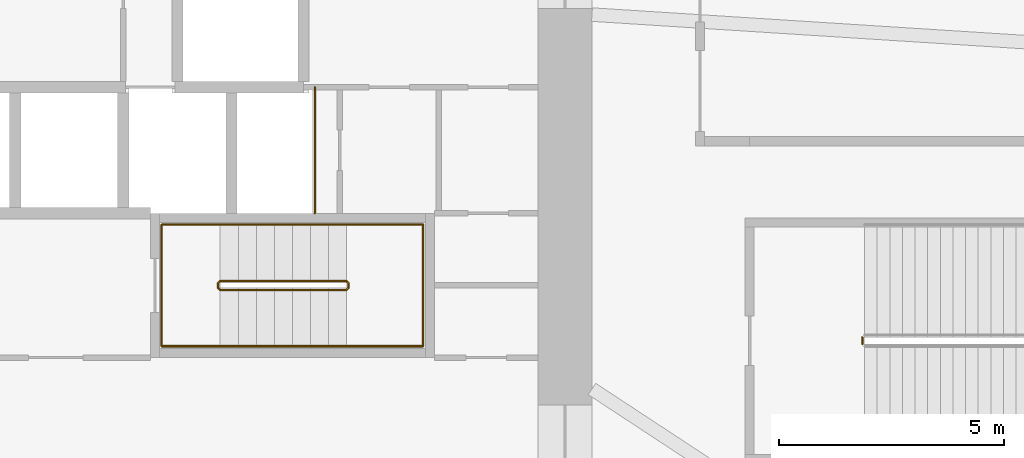
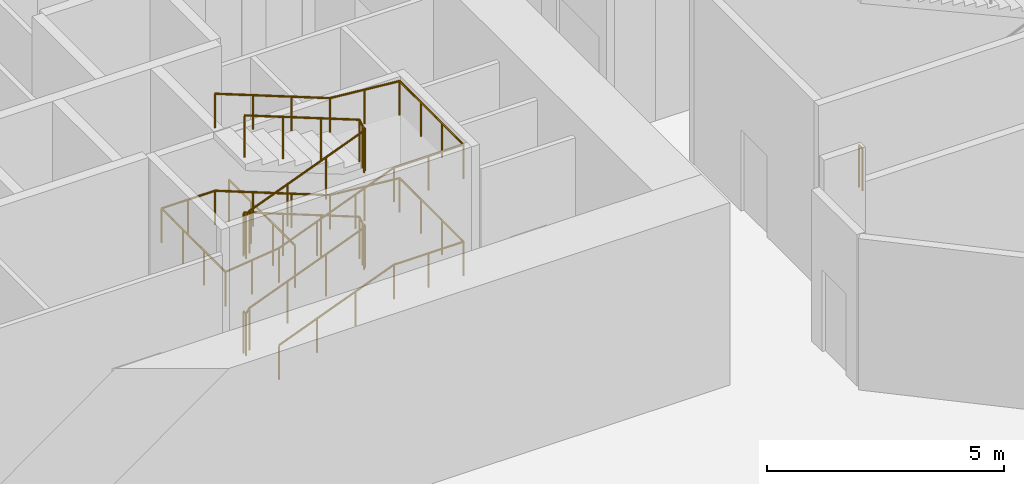
# One storey, part 14 of 16: 4 railings.
"""IFC4 building model written with IfcOpenShell, lengths in metres."""

from ifc_helpers import new_model, si_unit, direction, frame, origin, origin_2d, place, context, subcontext, project, spatial, circle, extrude, source, transform, mapped, material, type_object, element, save


model = new_model("IFC4")

# Units and contexts
model_context = context("Model", 3, precision=1e-05, world=origin(), true_north=direction((0.0, 1.0)))
body_context = subcontext(model_context, "Body", "Model", "MODEL_VIEW")
ifc_project = project(units=[si_unit("LENGTHUNIT", "METRE"), si_unit("AREAUNIT", "SQUARE_METRE"), si_unit("VOLUMEUNIT", "CUBIC_METRE"), si_unit("PLANEANGLEUNIT", "RADIAN"), si_unit("MASSUNIT", "GRAM", prefix="KILO")], contexts=[model_context])

# Site, building, storey
site_placement = place(None, origin())
site = spatial("IfcSite", under=ifc_project, at=site_placement, CompositionType="ELEMENT")
building_placement = place(site_placement, origin())
building = spatial("IfcBuilding", under=site, at=building_placement, Name="Embergate Tower", CompositionType="ELEMENT")
storey_placement = place(building_placement, frame((0.0, 0.0, 24.0)))
storey = spatial("IfcBuildingStorey", under=building, at=storey_placement, Name="L02", CompositionType="ELEMENT", Elevation=24.0)

# Railings
ifc_material_1 = material(Name="Stair guard 1100")
railing_type_1 = type_object("IfcRailingType", Name="Stair guard 1100", PredefinedType="GUARDRAIL", material=ifc_material_1)
shared_shape_1 = source(origin(), body_context, "Body", "SweptSolid", [
    extrude(circle(Radius=0.02392578125, at=origin_2d()), frame((0.0, 0.0, 1.076171875), z_axis=(0.0, -1.0, 0.0), x_axis=(1.0, 0.0, 0.0)), (0.0, 0.0, 1.0), 0.099853515625),
    extrude(circle(Radius=0.02392578125, at=origin_2d()), frame((0.0, -0.099853515625, 1.076171875), z_axis=(0.29177245553, -0.29177245553, 0.91089937336), x_axis=(0.707106781187, 0.707106781187, 0.0)), (0.0, 0.0, 1.0), 0.171630859375),
    extrude(circle(Radius=0.02392578125, at=origin_2d()), frame((0.050048828125, -0.14990234375, 1.232421875), z_axis=(0.93145949984, 0.0, 0.363845022171), x_axis=(0.0, 1.0, 0.0)), (0.0, 0.0, 1.0), 3.006103515625),
    extrude(circle(Radius=0.02392578125, at=origin_2d()), frame((2.85009765625, -0.14990234375, 2.326171875), z_axis=(0.707106781187, 0.707106781187, 0.0), x_axis=(-0.707106781187, 0.707106781187, 0.0)), (0.0, 0.0, 1.0), 0.07080078125),
    extrude(circle(Radius=0.02392578125, at=origin_2d()), frame((2.900146484375, -0.099853515625, 2.326171875), z_axis=(0.0, 1.0, 0.0), x_axis=(-1.0, 0.0, 0.0)), (0.0, 0.0, 1.0), 0.099853515625),
    extrude(circle(Radius=0.02392578125, at=origin_2d()), frame((2.900146484375, 0.0, 2.326171875), z_axis=(-0.29177245553, 0.29177245553, 0.91089937336), x_axis=(-0.707106781187, -0.707106781187, 0.0)), (0.0, 0.0, 1.0), 0.171630859375),
    extrude(circle(Radius=0.02392578125, at=origin_2d()), frame((2.85009765625, 0.050048828125, 2.482421875), z_axis=(-0.93145949984, 0.0, 0.363845022171), x_axis=(0.0, -1.0, 0.0)), (0.0, 0.0, 1.0), 3.006103515625),
    extrude(circle(Radius=0.02392578125, at=origin_2d()), frame((0.050048828125, 0.050048828125, 3.576171875), z_axis=(-0.707106781187, -0.707106781187, 0.0), x_axis=(0.707106781187, -0.707106781187, 0.0)), (0.0, 0.0, 1.0), 0.07080078125),
    extrude(circle(Radius=0.02392578125, at=origin_2d()), frame((0.0, 0.0, 3.576171875), z_axis=(0.0, -1.0, 0.0), x_axis=(1.0, 0.0, 0.0)), (0.0, 0.0, 1.0), 0.099853515625),
    extrude(circle(Radius=0.02392578125, at=origin_2d()), frame((0.0, -0.099853515625, 3.576171875), z_axis=(0.29177245553, -0.29177245553, 0.91089937336), x_axis=(0.707106781187, 0.707106781187, 0.0)), (0.0, 0.0, 1.0), 0.171630859375),
    extrude(circle(Radius=0.02392578125, at=origin_2d()), frame((0.050048828125, -0.14990234375, 3.732421875), z_axis=(0.93145949984, 0.0, 0.363845022171), x_axis=(0.0, 1.0, 0.0)), (0.0, 0.0, 1.0), 3.006103515625),
    extrude(circle(Radius=0.02392578125, at=origin_2d()), frame((2.85009765625, -0.14990234375, 4.826171875), z_axis=(0.707106781187, 0.707106781187, 0.0), x_axis=(-0.707106781187, 0.707106781187, 0.0)), (0.0, 0.0, 1.0), 0.07080078125),
    extrude(circle(Radius=0.02392578125, at=origin_2d()), frame((2.900146484375, -0.099853515625, 4.826171875), z_axis=(0.0, 1.0, 0.0), x_axis=(-1.0, 0.0, 0.0)), (0.0, 0.0, 1.0), 0.099853515625),
    extrude(circle(Radius=0.02392578125, at=origin_2d()), frame((2.900146484375, 0.0, 4.826171875), z_axis=(-0.29177245553, 0.29177245553, 0.91089937336), x_axis=(-0.707106781187, -0.707106781187, 0.0)), (0.0, 0.0, 1.0), 0.171630859375),
    extrude(circle(Radius=0.02392578125, at=origin_2d()), frame((2.85009765625, 0.050048828125, 4.982421875), z_axis=(-0.93145949984, 0.0, 0.363845022171), x_axis=(0.0, -1.0, 0.0)), (0.0, 0.0, 1.0), 3.006103515625),
    extrude(circle(Radius=0.02099609375, at=origin_2d()), origin(), (0.0, 0.0, 1.0), 1.052001953125),
    extrude(circle(Radius=0.02099609375, at=origin_2d()), frame((0.0, -0.099853515625, 0.0)), (0.0, 0.0, 1.0), 1.052001953125),
    extrude(circle(Radius=0.02099609375, at=origin_2d()), frame((0.050048828125, -0.14990234375, 0.15625)), (0.0, 0.0, 1.0), 1.052001953125),
    extrude(circle(Radius=0.02099609375, at=origin_2d()), frame((0.9833984375, -0.14990234375, 0.520751953125)), (0.0, 0.0, 1.0), 1.052001953125),
    extrude(circle(Radius=0.02099609375, at=origin_2d()), frame((1.916748046875, -0.14990234375, 0.885498046875)), (0.0, 0.0, 1.0), 1.052001953125),
    extrude(circle(Radius=0.02099609375, at=origin_2d()), frame((2.85009765625, -0.14990234375, 1.25)), (0.0, 0.0, 1.0), 1.052001953125),
    extrude(circle(Radius=0.02099609375, at=origin_2d()), frame((2.900146484375, -0.099853515625, 1.25)), (0.0, 0.0, 1.0), 1.052001953125),
    extrude(circle(Radius=0.02099609375, at=origin_2d()), frame((2.900146484375, 0.0, 1.25)), (0.0, 0.0, 1.0), 1.052001953125),
    extrude(circle(Radius=0.02099609375, at=origin_2d()), frame((2.85009765625, 0.050048828125, 1.40625)), (0.0, 0.0, 1.0), 1.052001953125),
    extrude(circle(Radius=0.02099609375, at=origin_2d()), frame((1.916748046875, 0.050048828125, 1.770751953125)), (0.0, 0.0, 1.0), 1.052001953125),
    extrude(circle(Radius=0.02099609375, at=origin_2d()), frame((0.9833984375, 0.050048828125, 2.135498046875)), (0.0, 0.0, 1.0), 1.052001953125),
    extrude(circle(Radius=0.02099609375, at=origin_2d()), frame((0.050048828125, 0.050048828125, 2.5)), (0.0, 0.0, 1.0), 1.052001953125),
    extrude(circle(Radius=0.02099609375, at=origin_2d()), frame((0.0, 0.0, 2.5)), (0.0, 0.0, 1.0), 1.052001953125),
    extrude(circle(Radius=0.02099609375, at=origin_2d()), frame((0.0, -0.099853515625, 2.5)), (0.0, 0.0, 1.0), 1.052001953125),
    extrude(circle(Radius=0.02099609375, at=origin_2d()), frame((0.050048828125, -0.14990234375, 2.65625)), (0.0, 0.0, 1.0), 1.052001953125),
    extrude(circle(Radius=0.02099609375, at=origin_2d()), frame((0.9833984375, -0.14990234375, 3.020751953125)), (0.0, 0.0, 1.0), 1.052001953125),
    extrude(circle(Radius=0.02099609375, at=origin_2d()), frame((1.916748046875, -0.14990234375, 3.385498046875)), (0.0, 0.0, 1.0), 1.052001953125),
    extrude(circle(Radius=0.02099609375, at=origin_2d()), frame((2.85009765625, -0.14990234375, 3.75)), (0.0, 0.0, 1.0), 1.052001953125),
    extrude(circle(Radius=0.02099609375, at=origin_2d()), frame((2.900146484375, -0.099853515625, 3.75)), (0.0, 0.0, 1.0), 1.052001953125),
    extrude(circle(Radius=0.02099609375, at=origin_2d()), frame((2.900146484375, 0.0, 3.75)), (0.0, 0.0, 1.0), 1.052001953125),
    extrude(circle(Radius=0.02099609375, at=origin_2d()), frame((2.85009765625, 0.050048828125, 3.90625)), (0.0, 0.0, 1.0), 1.052001953125),
    extrude(circle(Radius=0.02099609375, at=origin_2d()), frame((1.916748046875, 0.050048828125, 4.270751953125)), (0.0, 0.0, 1.0), 1.052001953125),
    extrude(circle(Radius=0.02099609375, at=origin_2d()), frame((0.9833984375, 0.050048828125, 4.635498046875)), (0.0, 0.0, 1.0), 1.052001953125),
    extrude(circle(Radius=0.02099609375, at=origin_2d()), frame((0.050048828125, 0.050048828125, 5.0)), (0.0, 0.0, 1.0), 1.052001953125),
])
railing_1_placement = place(storey_placement, frame((5.699951171875, -6.85009765625, 0.0)))
element("IfcRailing", 1, at=railing_1_placement, inside=storey, type_object=railing_type_1, Name="L02 ST4 stair guard 1", PredefinedType="GUARDRAIL", context=body_context, shape_type="MappedRepresentation", body=[
    mapped(shared_shape_1, transform((0.0, 0.0, 0.0))),
])
ifc_material_2 = material(Name="Stair handrail 900")
railing_type_2 = type_object("IfcRailingType", Name="Stair handrail 900", PredefinedType="HANDRAIL", material=ifc_material_2)
shared_shape_2 = source(origin(), body_context, "Body", "SweptSolid", [
    extrude(circle(Radius=0.02392578125, at=origin_2d()), frame((0.0, 0.0, 0.8759765625), z_axis=(0.93145949984, 0.0, 0.363845022171), x_axis=(0.0, 1.0, 0.0)), (0.0, 0.0, 1.0), 3.006103515625),
    extrude(circle(Radius=0.02392578125, at=origin_2d()), frame((2.800048828125, 0.0, 1.9697265625), z_axis=(1.0, 0.0, 0.0), x_axis=(0.0, 1.0, 0.0)), (0.0, 0.0, 1.0), 1.699951171875),
    extrude(circle(Radius=0.02392578125, at=origin_2d()), frame((4.5, 0.0, 1.9697265625), z_axis=(0.0, 1.0, 0.0), x_axis=(-1.0, 0.0, 0.0)), (0.0, 0.0, 1.0), 2.699951171875),
    extrude(circle(Radius=0.02392578125, at=origin_2d()), frame((4.5, 2.699951171875, 1.9697265625), z_axis=(-0.995802448953, 0.0, 0.091528589305), x_axis=(0.0, -1.0, 0.0)), (0.0, 0.0, 1.0), 1.70703125),
    extrude(circle(Radius=0.02392578125, at=origin_2d()), frame((2.800048828125, 2.699951171875, 2.1259765625), z_axis=(-0.93145949984, 0.0, 0.363845022171), x_axis=(0.0, -1.0, 0.0)), (0.0, 0.0, 1.0), 3.006103515625),
    extrude(circle(Radius=0.02392578125, at=origin_2d()), frame((0.0, 2.699951171875, 3.2197265625), z_axis=(-1.0, 0.0, 0.0), x_axis=(0.0, -1.0, 0.0)), (0.0, 0.0, 1.0), 1.300048828125),
    extrude(circle(Radius=0.02392578125, at=origin_2d()), frame((-1.300048828125, 2.699951171875, 3.2197265625), z_axis=(0.0, -1.0, 0.0), x_axis=(1.0, 0.0, 0.0)), (0.0, 0.0, 1.0), 2.699951171875),
    extrude(circle(Radius=0.02392578125, at=origin_2d()), frame((-1.300048828125, 0.0, 3.2197265625), z_axis=(0.992854764896, 0.0, 0.119329023387), x_axis=(0.0, 1.0, 0.0)), (0.0, 0.0, 1.0), 1.309326171875),
    extrude(circle(Radius=0.02392578125, at=origin_2d()), frame((0.0, 0.0, 3.3759765625), z_axis=(0.93145949984, 0.0, 0.363845022171), x_axis=(0.0, 1.0, 0.0)), (0.0, 0.0, 1.0), 3.006103515625),
    extrude(circle(Radius=0.02392578125, at=origin_2d()), frame((2.800048828125, 0.0, 4.4697265625), z_axis=(1.0, 0.0, 0.0), x_axis=(0.0, 1.0, 0.0)), (0.0, 0.0, 1.0), 1.699951171875),
    extrude(circle(Radius=0.02392578125, at=origin_2d()), frame((4.5, 0.0, 4.4697265625), z_axis=(0.0, 1.0, 0.0), x_axis=(-1.0, 0.0, 0.0)), (0.0, 0.0, 1.0), 2.699951171875),
    extrude(circle(Radius=0.02392578125, at=origin_2d()), frame((4.5, 2.699951171875, 4.4697265625), z_axis=(-0.995802448953, 0.0, 0.091528589305), x_axis=(0.0, -1.0, 0.0)), (0.0, 0.0, 1.0), 1.70703125),
    extrude(circle(Radius=0.02392578125, at=origin_2d()), frame((2.800048828125, 2.699951171875, 4.6259765625), z_axis=(-0.93145949984, 0.0, 0.363845022171), x_axis=(0.0, -1.0, 0.0)), (0.0, 0.0, 1.0), 3.006103515625),
    extrude(circle(Radius=0.02099609375, at=origin_2d()), origin(), (0.0, 0.0, 1.0), 0.851806640625),
    extrude(circle(Radius=0.02099609375, at=origin_2d()), frame((0.933349609375, 0.0, 0.364501953125)), (0.0, 0.0, 1.0), 0.851806640625),
    extrude(circle(Radius=0.02099609375, at=origin_2d()), frame((1.86669921875, 0.0, 0.729248046875)), (0.0, 0.0, 1.0), 0.851806640625),
    extrude(circle(Radius=0.02099609375, at=origin_2d()), frame((2.800048828125, 0.0, 1.09375)), (0.0, 0.0, 1.0), 0.851806640625),
    extrude(circle(Radius=0.02099609375, at=origin_2d()), frame((3.64990234375, 0.0, 1.09375)), (0.0, 0.0, 1.0), 0.851806640625),
    extrude(circle(Radius=0.02099609375, at=origin_2d()), frame((4.5, 0.0, 1.09375)), (0.0, 0.0, 1.0), 0.851806640625),
    extrude(circle(Radius=0.02099609375, at=origin_2d()), frame((4.5, 0.89990234375, 1.09375)), (0.0, 0.0, 1.0), 0.851806640625),
    extrude(circle(Radius=0.02099609375, at=origin_2d()), frame((4.5, 1.800048828125, 1.09375)), (0.0, 0.0, 1.0), 0.851806640625),
    extrude(circle(Radius=0.02099609375, at=origin_2d()), frame((4.5, 2.699951171875, 1.09375)), (0.0, 0.0, 1.0), 0.851806640625),
    extrude(circle(Radius=0.02099609375, at=origin_2d()), frame((3.64990234375, 2.699951171875, 1.171875)), (0.0, 0.0, 1.0), 0.851806640625),
    extrude(circle(Radius=0.02099609375, at=origin_2d()), frame((2.800048828125, 2.699951171875, 1.25)), (0.0, 0.0, 1.0), 0.851806640625),
    extrude(circle(Radius=0.02099609375, at=origin_2d()), frame((1.86669921875, 2.699951171875, 1.614501953125)), (0.0, 0.0, 1.0), 0.851806640625),
    extrude(circle(Radius=0.02099609375, at=origin_2d()), frame((0.933349609375, 2.699951171875, 1.979248046875)), (0.0, 0.0, 1.0), 0.851806640625),
    extrude(circle(Radius=0.02099609375, at=origin_2d()), frame((0.0, 2.699951171875, 2.34375)), (0.0, 0.0, 1.0), 0.851806640625),
    extrude(circle(Radius=0.02099609375, at=origin_2d()), frame((-0.64990234375, 2.699951171875, 2.34375)), (0.0, 0.0, 1.0), 0.851806640625),
    extrude(circle(Radius=0.02099609375, at=origin_2d()), frame((-1.300048828125, 2.699951171875, 2.34375)), (0.0, 0.0, 1.0), 0.851806640625),
    extrude(circle(Radius=0.02099609375, at=origin_2d()), frame((-1.300048828125, 1.800048828125, 2.34375)), (0.0, 0.0, 1.0), 0.851806640625),
    extrude(circle(Radius=0.02099609375, at=origin_2d()), frame((-1.300048828125, 0.89990234375, 2.34375)), (0.0, 0.0, 1.0), 0.851806640625),
    extrude(circle(Radius=0.02099609375, at=origin_2d()), frame((-1.300048828125, 0.0, 2.34375)), (0.0, 0.0, 1.0), 0.851806640625),
    extrude(circle(Radius=0.02099609375, at=origin_2d()), frame((-0.64990234375, 0.0, 2.421875)), (0.0, 0.0, 1.0), 0.851806640625),
    extrude(circle(Radius=0.02099609375, at=origin_2d()), frame((0.0, 0.0, 2.5)), (0.0, 0.0, 1.0), 0.851806640625),
    extrude(circle(Radius=0.02099609375, at=origin_2d()), frame((0.933349609375, 0.0, 2.864501953125)), (0.0, 0.0, 1.0), 0.851806640625),
    extrude(circle(Radius=0.02099609375, at=origin_2d()), frame((1.86669921875, 0.0, 3.229248046875)), (0.0, 0.0, 1.0), 0.851806640625),
    extrude(circle(Radius=0.02099609375, at=origin_2d()), frame((2.800048828125, 0.0, 3.59375)), (0.0, 0.0, 1.0), 0.851806640625),
    extrude(circle(Radius=0.02099609375, at=origin_2d()), frame((3.64990234375, 0.0, 3.59375)), (0.0, 0.0, 1.0), 0.851806640625),
    extrude(circle(Radius=0.02099609375, at=origin_2d()), frame((4.5, 0.0, 3.59375)), (0.0, 0.0, 1.0), 0.851806640625),
    extrude(circle(Radius=0.02099609375, at=origin_2d()), frame((4.5, 0.89990234375, 3.59375)), (0.0, 0.0, 1.0), 0.851806640625),
    extrude(circle(Radius=0.02099609375, at=origin_2d()), frame((4.5, 1.800048828125, 3.59375)), (0.0, 0.0, 1.0), 0.851806640625),
    extrude(circle(Radius=0.02099609375, at=origin_2d()), frame((4.5, 2.699951171875, 3.59375)), (0.0, 0.0, 1.0), 0.851806640625),
    extrude(circle(Radius=0.02099609375, at=origin_2d()), frame((3.64990234375, 2.699951171875, 3.671875)), (0.0, 0.0, 1.0), 0.851806640625),
    extrude(circle(Radius=0.02099609375, at=origin_2d()), frame((2.800048828125, 2.699951171875, 3.75)), (0.0, 0.0, 1.0), 0.851806640625),
    extrude(circle(Radius=0.02099609375, at=origin_2d()), frame((1.86669921875, 2.699951171875, 4.114501953125)), (0.0, 0.0, 1.0), 0.851806640625),
    extrude(circle(Radius=0.02099609375, at=origin_2d()), frame((0.933349609375, 2.699951171875, 4.479248046875)), (0.0, 0.0, 1.0), 0.851806640625),
    extrude(circle(Radius=0.02099609375, at=origin_2d()), frame((0.0, 2.699951171875, 4.84375)), (0.0, 0.0, 1.0), 0.851806640625),
])
railing_2_placement = place(storey_placement, frame((5.75, -8.25, 0.15625)))
element("IfcRailing", 2, at=railing_2_placement, inside=storey, type_object=railing_type_2, Name="L02 ST4 stair handrail 1", PredefinedType="HANDRAIL", context=body_context, shape_type="MappedRepresentation", body=[
    mapped(shared_shape_2, transform((0.0, 0.0, 0.0))),
])
ifc_material_3 = material(Name="Opening guard 1100")
railing_type_3 = type_object("IfcRailingType", Name="Opening guard 1100", PredefinedType="GUARDRAIL", material=ifc_material_3)
shared_shape_3 = source(origin(), body_context, "Body", "SweptSolid", [
    extrude(circle(Radius=0.02392578125, at=origin_2d()), frame((0.0, 0.0, 1.076171875), z_axis=(0.0, 1.0, 0.0), x_axis=(-1.0, 0.0, 0.0)), (0.0, 0.0, 1.0), 2.800048828125),
    extrude(circle(Radius=0.02099609375, at=origin_2d()), origin(), (0.0, 0.0, 1.0), 1.052001953125),
    extrude(circle(Radius=0.02099609375, at=origin_2d()), frame((0.0, 0.933349609375, 0.0)), (0.0, 0.0, 1.0), 1.052001953125),
    extrude(circle(Radius=0.02099609375, at=origin_2d()), frame((0.0, 1.86669921875, 0.0)), (0.0, 0.0, 1.0), 1.052001953125),
    extrude(circle(Radius=0.02099609375, at=origin_2d()), frame((0.0, 2.800048828125, 0.0)), (0.0, 0.0, 1.0), 1.052001953125),
])
railing_3_placement = place(storey_placement, frame((7.85009765625, -5.300048828125, 0.0)))
element("IfcRailing", 3, at=railing_3_placement, inside=storey, type_object=railing_type_3, Name="Riser opening guard", PredefinedType="GUARDRAIL", context=body_context, shape_type="MappedRepresentation", body=[
    mapped(shared_shape_3, transform((0.0, 0.0, 0.0))),
])
ifc_material_4 = material(Name="Steel", Category="steel")
railing_type_4 = type_object("IfcRailingType", Name="Podium stair guard 1100", PredefinedType="GUARDRAIL", material=ifc_material_4)
shared_shape_4 = source(origin(), body_context, "Body", "SweptSolid", [
    extrude(circle(Radius=0.02392578125, at=origin_2d()), frame((0.0, 0.0, 1.076171875), z_axis=(0.0, 1.0, 0.0), x_axis=(-1.0, 0.0, 0.0)), (0.0, 0.0, 1.0), 0.14990234375),
    extrude(circle(Radius=0.02099609375, at=origin_2d()), origin(), (0.0, 0.0, 1.0), 1.052001953125),
    extrude(circle(Radius=0.02099609375, at=origin_2d()), frame((0.0, 0.14990234375, 0.0)), (0.0, 0.0, 1.0), 1.052001953125),
])
railing_4_placement = place(storey_placement, frame((20.0, -8.199951171875, 0.0)))
element("IfcRailing", 4, at=railing_4_placement, inside=storey, type_object=railing_type_4, Name="L02 P2 stair guard 4", PredefinedType="GUARDRAIL", context=body_context, shape_type="MappedRepresentation", body=[
    mapped(shared_shape_4, transform((0.0, 0.0, 0.0))),
])

save(model, "model.ifc")
